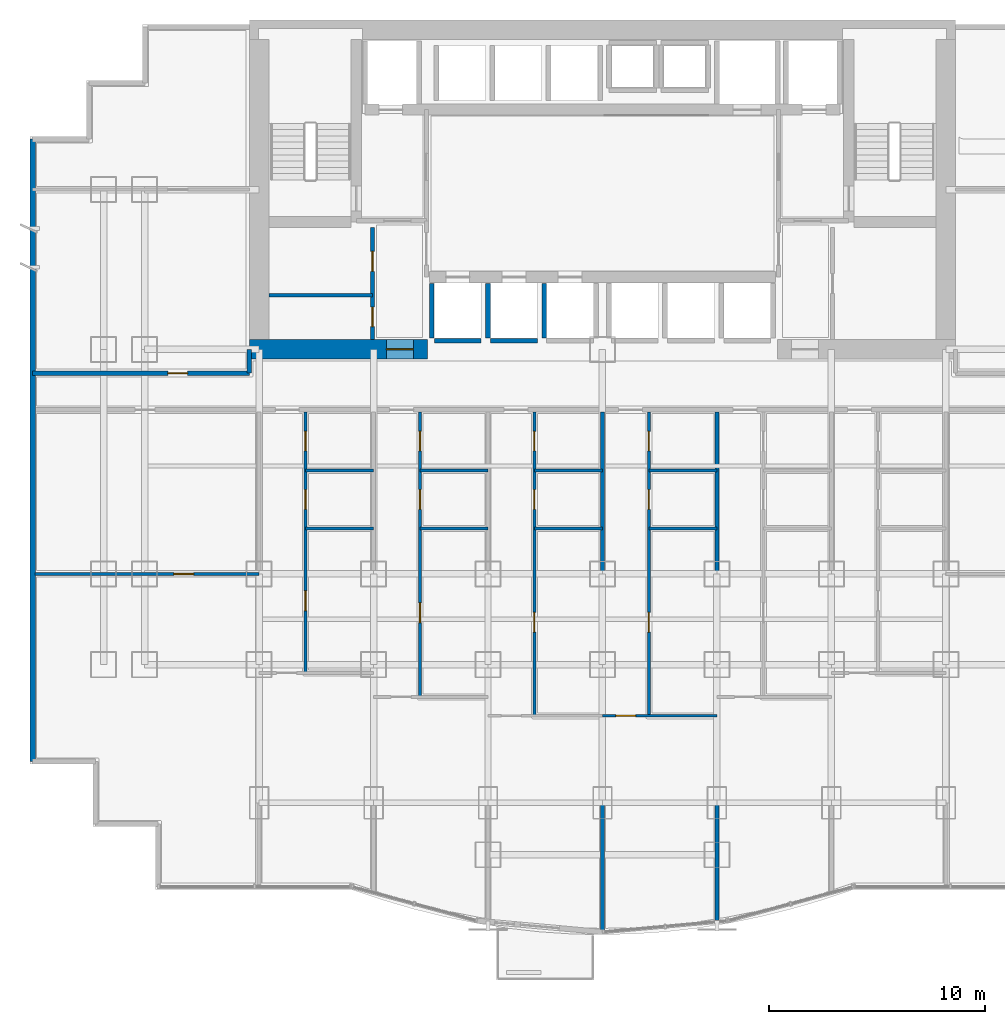
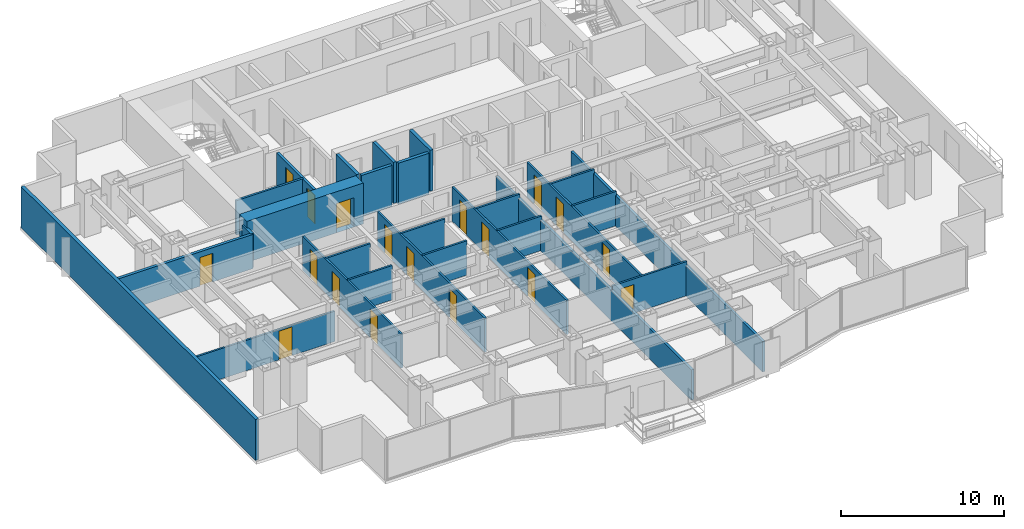
# One storey, part 5 of 10: 27 walls, 18 doors, 18 openings.
"""IFC4 building model written with IfcOpenShell, lengths in metres."""

import ifcopenshell
import ifcopenshell.guid

model = None  # the IFC model being written
_history = None  # IfcOwnerHistory: only IFC2X3 demands one
_inside = {}  # id of a spatial element -> (the spatial element, [elements in it])
_under = {}  # id of a project, library or spatial element -> (it, [spatial elements below it])
_declared = {}  # id of a project -> (the project, [libraries it declares])
_typed = {}  # id of a type object -> (the type object, [elements of that type])
_made_of = {}  # id of a material, layer set ... -> (it, [elements and type objects made of it])


def new_model(schema):
    """Start an empty IFC model of exactly this schema.

    Asked for "IFC4X3", IfcOpenShell would pick the latest addendum, in which some entities
    have other attributes; the version numbers below select the first issue.
    IFC2X3 requires an IfcOwnerHistory on every rooted entity: one is made here for all.
    """
    global model, _history
    if schema == "IFC4X3":
        model = ifcopenshell.file(schema_version=(4, 3, 0, 0))
    else:
        model = ifcopenshell.file(schema=schema)
    _inside.clear()
    _under.clear()
    _declared.clear()
    _typed.clear()
    _made_of.clear()
    _history = None
    if model.schema == "IFC2X3":
        org = make("IfcOrganization", Name="unknown")
        user = make(
            "IfcPersonAndOrganization",
            ThePerson=make("IfcPerson", FamilyName="unknown"),
            TheOrganization=org,
        )
        app = make(
            "IfcApplication",
            ApplicationDeveloper=org,
            Version="unknown",
            ApplicationFullName="unknown",
            ApplicationIdentifier="unknown",
        )
        _history = make(
            "IfcOwnerHistory",
            OwningUser=user,
            OwningApplication=app,
            ChangeAction="ADDED",
            CreationDate=0,
        )
    return model


def make(cls, **values):
    """One entity of the class cls with the attributes given. An attribute that is None is left unset."""
    return model.create_entity(
        cls, **{name: value for name, value in values.items() if value is not None}
    )


def rooted(cls, **values):
    """An entity with a GlobalId (a new one), such as an element, a storey or a relation."""
    return make(cls, GlobalId=ifcopenshell.guid.new(), OwnerHistory=_history, **values)


def si_unit(unit_type, name, prefix=None):
    """IfcSIUnit, for example si_unit("LENGTHUNIT", "METRE", prefix="MILLI")."""
    return make("IfcSIUnit", UnitType=unit_type, Prefix=prefix, Name=name)


def assignment(units):
    """IfcUnitAssignment: the units of a project."""
    return None if units is None else make("IfcUnitAssignment", Units=units)


def point(xyz):
    """IfcCartesianPoint."""
    return None if xyz is None else make("IfcCartesianPoint", Coordinates=xyz)


def direction(xyz):
    """IfcDirection."""
    return None if xyz is None else make("IfcDirection", DirectionRatios=xyz)


def frame(location, z_axis=None, x_axis=None):
    """IfcAxis2Placement3D, a coordinate frame: its origin and axes. An axis left out is left unset."""
    return make(
        "IfcAxis2Placement3D",
        Location=point(location),
        Axis=direction(z_axis),
        RefDirection=direction(x_axis),
    )


def frame_2d(location, x_axis=None):
    """IfcAxis2Placement2D, a coordinate frame in the plane: its origin and x axis."""
    return make(
        "IfcAxis2Placement2D", Location=point(location), RefDirection=direction(x_axis)
    )


def origin():
    """The frame at (0, 0, 0) with its axes left unset."""
    return frame((0.0, 0.0, 0.0))


def place(relative_to, where):
    """IfcLocalPlacement: puts the frame where relative to a parent placement (None: the world)."""
    return make(
        "IfcLocalPlacement", PlacementRelTo=relative_to, RelativePlacement=where
    )


def context(
    kind, dimensions, precision=None, world=None, true_north=None, identifier=None
):
    """IfcGeometricRepresentationContext, for example the 3D "Model" context."""
    return make(
        "IfcGeometricRepresentationContext",
        ContextIdentifier=identifier,
        ContextType=kind,
        CoordinateSpaceDimension=dimensions,
        Precision=precision,
        WorldCoordinateSystem=world,
        TrueNorth=true_north,
    )


def subcontext(parent, identifier, kind, view, scale=None):
    """IfcGeometricRepresentationSubContext, for example "Body" below "Model"."""
    return make(
        "IfcGeometricRepresentationSubContext",
        ContextIdentifier=identifier,
        ContextType=kind,
        ParentContext=parent,
        TargetScale=scale,
        TargetView=view,
    )


def project(units=None, contexts=None):
    """IfcProject with its units and contexts."""
    return rooted(
        "IfcProject",
        Name="project",
        RepresentationContexts=contexts,
        UnitsInContext=assignment(units),
    )


def spatial(cls, under=None, at=None, **own):
    """A site, building, storey or space (cls), placed at a placement, below another one or the project."""
    s = rooted(cls, ObjectPlacement=at, **own)
    if under is not None:
        _under.setdefault(under.id(), (under, []))[1].append(s)
    return s


def profile(cls, at=None, kind="AREA", **sizes):
    """A parametric profile (cls). Its sizes go by their IFC names, for example OverallWidth=200.0."""
    return make(cls, ProfileType=kind, Position=at, **sizes)


def rectangle(**sizes):
    """IfcRectangleProfileDef."""
    return profile("IfcRectangleProfileDef", **sizes)


def extrude(swept, where, along, depth):
    """IfcExtrudedAreaSolid: the profile swept, set in the frame where, extruded along a direction by depth."""
    return make(
        "IfcExtrudedAreaSolid",
        SweptArea=swept,
        Position=where,
        ExtrudedDirection=direction(along),
        Depth=depth,
    )


def shape(context_of_items, identifier, shape_type, items):
    """IfcShapeRepresentation: the items that make up one representation, for example the "Body"."""
    return make(
        "IfcShapeRepresentation",
        ContextOfItems=context_of_items,
        RepresentationIdentifier=identifier,
        RepresentationType=shape_type,
        Items=items,
    )


def material(Name=None, Category=None):
    """IfcMaterial."""
    return make("IfcMaterial", Name=Name, Category=Category)


def layer(
    of_material, thickness, ventilated=None, Name=None, Category=None, Priority=None
):
    """IfcMaterialLayer: one layer of a wall or slab, of a material (None: an air gap)."""
    return make(
        "IfcMaterialLayer",
        Material=of_material,
        LayerThickness=thickness,
        IsVentilated=ventilated,
        Name=Name,
        Category=Category,
        Priority=Priority,
    )


def layer_set(layers, Name=None):
    """IfcMaterialLayerSet."""
    return make("IfcMaterialLayerSet", MaterialLayers=layers, LayerSetName=Name)


def made_of(thing, what):
    """Note that an element or type object is made of a material, layer set ...; save() writes the relation."""
    if what is not None:
        _made_of.setdefault(what.id(), (what, []))[1].append(thing)
    return thing


def type_object(cls, material=None, **own):
    """A type object (cls), such as IfcWallType, which elements share."""
    return made_of(rooted(cls, **own), material)


def element(
    cls,
    number,
    at=None,
    inside=None,
    cuts=None,
    type_object=None,
    material=None,
    context=None,
    identifier="Body",
    shape_type=None,
    held_by="IfcProductDefinitionShape",
    body=None,
    shapes=None,
    **own,
):
    """One element of the class cls, such as IfcWall. Its Tag is "e" and its number.

    at: its placement. inside: the storey or other place that contains it. cuts: it is an
    opening in that element (IfcRelVoidsElement). A single representation is given by context,
    identifier, shape_type and body (its items); several are given by shapes. held_by: the class
    of the entity that holds the representations. save() writes the other relations.
    """
    e = rooted(cls, Tag="e%d" % number, ObjectPlacement=at, **own)
    if body is not None:
        shapes = [shape(context, identifier, shape_type, body)]
    if shapes is not None:
        e.Representation = make(held_by, Representations=shapes)
    if inside is not None:
        _inside.setdefault(inside.id(), (inside, []))[1].append(e)
    if cuts is not None:
        rooted(
            "IfcRelVoidsElement", RelatingBuildingElement=cuts, RelatedOpeningElement=e
        )
    if type_object is not None:
        _typed.setdefault(type_object.id(), (type_object, []))[1].append(e)
    return made_of(e, material)


def fill(opening, filler):
    """IfcRelFillsElement: the door or window that sits in an opening."""
    return rooted(
        "IfcRelFillsElement",
        RelatingOpeningElement=opening,
        RelatedBuildingElement=filler,
    )


def aggregate(whole, parts):
    """IfcRelAggregates: a whole, such as a stair, and the parts it consists of."""
    return rooted("IfcRelAggregates", RelatingObject=whole, RelatedObjects=parts)


def save(model, path):
    """Write the relations noted so far, then the file.

    IfcRelAggregates (storeys below a building ...), IfcRelContainedInSpatialStructure (elements
    in a storey), IfcRelDefinesByType, IfcRelAssociatesMaterial and IfcRelDeclares: one each for
    every whole, place, type object, material and project.
    """
    for whole, parts in _under.values():
        aggregate(whole, parts)
    for where, things in _inside.values():
        rooted(
            "IfcRelContainedInSpatialStructure",
            RelatedElements=things,
            RelatingStructure=where,
        )
    for kind, things in _typed.values():
        rooted("IfcRelDefinesByType", RelatedObjects=things, RelatingType=kind)
    for what, things in _made_of.values():
        rooted("IfcRelAssociatesMaterial", RelatedObjects=things, RelatingMaterial=what)
    for by, libraries in _declared.values():
        rooted("IfcRelDeclares", RelatingContext=by, RelatedDefinitions=libraries)
    model.write(path)


model = new_model("IFC4")

# Units and contexts
model_context = context("Model", 3, precision=1e-05, world=origin(), true_north=direction((0.0, 1.0)))
body_context = subcontext(model_context, "Body", "Model", "MODEL_VIEW")
ifc_project = project(units=[si_unit("LENGTHUNIT", "METRE"), si_unit("AREAUNIT", "SQUARE_METRE"), si_unit("VOLUMEUNIT", "CUBIC_METRE"), si_unit("PLANEANGLEUNIT", "RADIAN"), si_unit("MASSUNIT", "GRAM", prefix="KILO")], contexts=[model_context])

# Site, building, storey
site_placement = place(None, origin())
site = spatial("IfcSite", under=ifc_project, at=site_placement, CompositionType="ELEMENT")
building_placement = place(site_placement, origin())
building = spatial("IfcBuilding", under=site, at=building_placement, Name="Qianlan Lanfeng Residences", CompositionType="ELEMENT")
storey_placement = place(building_placement, frame((0.0, 0.0, 30.800048828125)))
storey = spatial("IfcBuildingStorey", under=building, at=storey_placement, Name="L07", CompositionType="ELEMENT", Elevation=30.800048828125)

# Wall, opening, door
ifc_material_1 = material(Name="Concrete C70", Category="concrete")
ifc_layer_1 = layer(ifc_material_1, 0.89990234375)
ifc_layer_set_1 = layer_set([ifc_layer_1], Name="Concrete C70")
wall_type_1 = type_object("IfcWallType", Name="CW-RC-900", PredefinedType="SHEAR", material=ifc_layer_set_1)
wall_1_placement = place(storey_placement, frame((10.14990234375, 25.199951171875, 0.0), z_axis=(0.0, 0.0, 1.0), x_axis=(1.0, 0.0, 0.0)))
wall_1 = element("IfcWall", 1, at=wall_1_placement, inside=storey, type_object=wall_type_1, Name="L07 Core Shear Wall SW", PredefinedType="SHEAR", context=body_context, shape_type="SweptSolid", body=[
    extrude(rectangle(XDim=8.25, YDim=0.89990234375, at=frame_2d((4.125, 0.0))), origin(), (0.0, 0.0, 1.0), 3.079833984375),
])
opening_1_placement = place(wall_1_placement, frame((6.35009765625, 0.0, 0.0)))
opening_1 = element("IfcOpeningElement", 2, at=opening_1_placement, cuts=wall_1, Name="Opening L07-D01", PredefinedType="OPENING", context=body_context, shape_type="SweptSolid", body=[
    extrude(rectangle(XDim=1.25, YDim=2.199951171875, at=frame_2d((0.625, 1.10009765625))), frame((0.0, 0.4599609375, 0.0), z_axis=(0.0, -1.0, 0.0), x_axis=(1.0, 0.0, 0.0)), (0.0, 0.0, 1.0), 0.919921875),
])
ifc_material_2 = material(Name="Painted Galvanised Steel Fire Door", Category="steel")
door_type_1 = type_object("IfcDoorType", Name="DT-FFL", OperationType="NOTDEFINED", PredefinedType="DOOR", material=ifc_material_2)
door_1_placement = place(opening_1_placement, frame((1.25, 0.0, 0.0), z_axis=(0.0, 0.0, 1.0), x_axis=(-1.0, 0.0, 0.0)))
door_1 = element("IfcDoor", 3, at=door_1_placement, inside=storey, type_object=door_type_1, Name="L07 West Core Lobby Smoke Door L07-D01 (DT-FFL)", OperationType="SINGLE_SWING_RIGHT", OverallHeight=2.199951171875, OverallWidth=1.25, PredefinedType="DOOR", context=body_context, shape_type="SweptSolid", body=[
    extrude(rectangle(XDim=1.25, YDim=2.199951171875, at=frame_2d((0.625, 1.10009765625))), frame((0.0, 0.02490234375, 0.0), z_axis=(0.0, -1.0, 0.0), x_axis=(1.0, 0.0, 0.0)), (0.0, 0.0, 1.0), 0.050048828125),
])
fill(opening_1, door_1)

# Wall
ifc_material_3 = material(Name="Concrete C42", Category="concrete")
ifc_layer_2 = layer(ifc_material_3, 0.239990234375)
ifc_layer_set_2 = layer_set([ifc_layer_2], Name="Concrete C42")
wall_type_2 = type_object("IfcWallType", Name="EW-240", PredefinedType="SOLIDWALL", material=ifc_layer_set_2)
wall_2_placement = place(storey_placement, frame((0.1201171875, 34.929931640625, 0.0), z_axis=(0.0, 0.0, 1.0), x_axis=(0.0, -1.0, 0.0)))
element("IfcWall", 4, at=wall_2_placement, inside=storey, type_object=wall_type_2, Name="L07 Exterior Facade Spandrel Wall 21", PredefinedType="SOLIDWALL", context=body_context, shape_type="SweptSolid", body=[
    extrude(rectangle(XDim=28.809814453125, YDim=0.239990234375, at=frame_2d((14.40478515625, 0.0))), origin(), (0.0, 0.0, 1.0), 3.079833984375),
])

# Wall, openings, doors
ifc_material_4 = material(Name="Moisture-Resistant Gypsum Partition 135 mm")
ifc_layer_3 = layer(ifc_material_4, 0.135009765625)
ifc_layer_set_3 = layer_set([ifc_layer_3], Name="Moisture-Resistant Gypsum Partition 135 mm")
wall_type_3 = type_object("IfcWallType", Name="PW-135", PredefinedType="PARTITIONING", material=ifc_layer_set_3)
wall_3_placement = place(storey_placement, frame((12.75, 10.219970703125, 0.0), z_axis=(0.0, 0.0, 1.0), x_axis=(0.0, 1.0, 0.0)))
wall_3 = element("IfcWall", 5, at=wall_3_placement, inside=storey, type_object=wall_type_3, Name="L07 U01 Entry Hall Spine", PredefinedType="PARTITIONING", context=body_context, shape_type="SweptSolid", body=[
    extrude(rectangle(XDim=12.080078125, YDim=0.135009765625, at=frame_2d((6.0400390625, 0.0))), origin(), (0.0, 0.0, 1.0), 2.570068359375),
])
opening_2_placement = place(wall_3_placement, frame((2.8798828125, 0.0, 0.0)))
opening_2 = element("IfcOpeningElement", 6, at=opening_2_placement, cuts=wall_3, Name="Opening L07-D16", PredefinedType="OPENING", context=body_context, shape_type="SweptSolid", body=[
    extrude(rectangle(XDim=0.919921875, YDim=2.14990234375, at=frame_2d((0.4599609375, 1.074951171875))), frame((0.0, 0.07763671875, 0.0), z_axis=(0.0, -1.0, 0.0), x_axis=(1.0, 0.0, 0.0)), (0.0, 0.0, 1.0), 0.155029296875),
])
opening_3_placement = place(wall_3_placement, frame((7.570068359375, 0.0, 0.0)))
opening_3 = element("IfcOpeningElement", 7, at=opening_3_placement, cuts=wall_3, Name="Opening L07-D17", PredefinedType="OPENING", context=body_context, shape_type="SweptSolid", body=[
    extrude(rectangle(XDim=0.919921875, YDim=2.14990234375, at=frame_2d((0.4599609375, 1.074951171875))), frame((0.0, 0.07763671875, 0.0), z_axis=(0.0, -1.0, 0.0), x_axis=(1.0, 0.0, 0.0)), (0.0, 0.0, 1.0), 0.155029296875),
])
opening_4_placement = place(wall_3_placement, frame((10.280029296875, 0.0, 0.0)))
opening_4 = element("IfcOpeningElement", 8, at=opening_4_placement, cuts=wall_3, Name="Opening L07-D18", PredefinedType="OPENING", context=body_context, shape_type="SweptSolid", body=[
    extrude(rectangle(XDim=0.89990234375, YDim=2.14990234375, at=frame_2d((0.449951171875, 1.074951171875))), frame((0.0, 0.07763671875, 0.0), z_axis=(0.0, -1.0, 0.0), x_axis=(1.0, 0.0, 0.0)), (0.0, 0.0, 1.0), 0.155029296875),
])
ifc_material_5 = material(Name="Glazed Timber Kitchen/Study Door", Category="wood")
door_type_2 = type_object("IfcDoorType", Name="DT-INT", OperationType="NOTDEFINED", PredefinedType="DOOR", material=ifc_material_5)
door_2_placement = place(opening_2_placement, origin())
door_2 = element("IfcDoor", 9, at=door_2_placement, inside=storey, type_object=door_type_2, Name="L07 U01 Study Door L07-D16 (DT-INT)", OperationType="SINGLE_SWING_LEFT", OverallHeight=2.14990234375, OverallWidth=0.919921875, PredefinedType="DOOR", context=body_context, shape_type="SweptSolid", body=[
    extrude(rectangle(XDim=0.919921875, YDim=2.14990234375, at=frame_2d((0.4599609375, 1.074951171875))), frame((0.0, 0.02490234375, 0.0), z_axis=(0.0, -1.0, 0.0), x_axis=(1.0, 0.0, 0.0)), (0.0, 0.0, 1.0), 0.050048828125),
])
fill(opening_2, door_2)
door_3_placement = place(opening_3_placement, origin())
door_3 = element("IfcDoor", 10, at=door_3_placement, inside=storey, type_object=door_type_2, Name="L07 U01 Kitchen Door L07-D17 (DT-INT)", OperationType="SINGLE_SWING_RIGHT", OverallHeight=2.14990234375, OverallWidth=0.919921875, PredefinedType="DOOR", context=body_context, shape_type="SweptSolid", body=[
    extrude(rectangle(XDim=0.919921875, YDim=2.14990234375, at=frame_2d((0.4599609375, 1.074951171875))), frame((0.0, 0.02490234375, 0.0), z_axis=(0.0, -1.0, 0.0), x_axis=(1.0, 0.0, 0.0)), (0.0, 0.0, 1.0), 0.050048828125),
])
fill(opening_3, door_3)
ifc_material_6 = material(Name="Moisture-Resistant Timber Leaf", Category="wood")
door_type_3 = type_object("IfcDoorType", Name="DT-WC", OperationType="NOTDEFINED", PredefinedType="DOOR", material=ifc_material_6)
door_4_placement = place(opening_4_placement, origin())
door_4 = element("IfcDoor", 11, at=door_4_placement, inside=storey, type_object=door_type_3, Name="L07 U01 Bathroom Door L07-D18 (DT-WC)", OperationType="SINGLE_SWING_LEFT", OverallHeight=2.14990234375, OverallWidth=0.89990234375, PredefinedType="DOOR", context=body_context, shape_type="SweptSolid", body=[
    extrude(rectangle(XDim=0.89990234375, YDim=2.14990234375, at=frame_2d((0.449951171875, 1.074951171875))), frame((0.0, 0.02490234375, 0.0), z_axis=(0.0, -1.0, 0.0), x_axis=(1.0, 0.0, 0.0)), (0.0, 0.0, 1.0), 0.050048828125),
])
fill(opening_4, door_4)

# Walls
for number, where, z_axis, x_axis, name in (
    (12, (12.75, 16.89990234375, 0.0), (0.0, 0.0, 1.0), (1.0, 0.0, 0.0), "L07 U01 Kitchen South Wall"),
    (13, (12.75, 19.60009765625, 0.0), (0.0, 0.0, 1.0), (1.0, 0.0, 0.0), "L07 U01 Bathroom South Wall"),
):
    element("IfcWall", number, at=place(storey_placement, frame(where, z_axis=z_axis, x_axis=x_axis)), inside=storey, type_object=wall_type_3, Name=name, PredefinedType="PARTITIONING", context=body_context, shape_type="SweptSolid", body=[
        extrude(rectangle(XDim=3.14990234375, YDim=0.135009765625, at=frame_2d((1.574951171875, 0.0))), origin(), (0.0, 0.0, 1.0), 2.570068359375),
    ])

# Wall, openings, doors
wall_4_placement = place(storey_placement, frame((18.050048828125, 9.112060546875, 0.0), z_axis=(0.0, 0.0, 1.0), x_axis=(0.0, 1.0, 0.0)))
wall_4 = element("IfcWall", 14, at=wall_4_placement, inside=storey, type_object=wall_type_3, Name="L07 U02 Entry Hall Spine", PredefinedType="PARTITIONING", context=body_context, shape_type="SweptSolid", body=[
    extrude(rectangle(XDim=13.18798828125, YDim=0.135009765625, at=frame_2d((6.593994140625, 0.0))), origin(), (0.0, 0.0, 1.0), 2.570068359375),
])
opening_5_placement = place(wall_4_placement, frame((3.43408203125, 0.0, 0.0)))
opening_5 = element("IfcOpeningElement", 15, at=opening_5_placement, cuts=wall_4, Name="Opening L07-D21", PredefinedType="OPENING", context=body_context, shape_type="SweptSolid", body=[
    extrude(rectangle(XDim=0.919921875, YDim=2.14990234375, at=frame_2d((0.4599609375, 1.074951171875))), frame((0.0, 0.07763671875, 0.0), z_axis=(0.0, -1.0, 0.0), x_axis=(1.0, 0.0, 0.0)), (0.0, 0.0, 1.0), 0.155029296875),
])
opening_6_placement = place(wall_4_placement, frame((8.677978515625, 0.0, 0.0)))
opening_6 = element("IfcOpeningElement", 16, at=opening_6_placement, cuts=wall_4, Name="Opening L07-D22", PredefinedType="OPENING", context=body_context, shape_type="SweptSolid", body=[
    extrude(rectangle(XDim=0.919921875, YDim=2.14990234375, at=frame_2d((0.4599609375, 1.074951171875))), frame((0.0, 0.07763671875, 0.0), z_axis=(0.0, -1.0, 0.0), x_axis=(1.0, 0.0, 0.0)), (0.0, 0.0, 1.0), 0.155029296875),
])
opening_7_placement = place(wall_4_placement, frame((11.387939453125, 0.0, 0.0)))
opening_7 = element("IfcOpeningElement", 17, at=opening_7_placement, cuts=wall_4, Name="Opening L07-D23", PredefinedType="OPENING", context=body_context, shape_type="SweptSolid", body=[
    extrude(rectangle(XDim=0.89990234375, YDim=2.14990234375, at=frame_2d((0.449951171875, 1.074951171875))), frame((0.0, 0.07763671875, 0.0), z_axis=(0.0, -1.0, 0.0), x_axis=(1.0, 0.0, 0.0)), (0.0, 0.0, 1.0), 0.155029296875),
])
door_5_placement = place(opening_5_placement, origin())
door_5 = element("IfcDoor", 18, at=door_5_placement, inside=storey, type_object=door_type_2, Name="L07 U02 Study Door L07-D21 (DT-INT)", OperationType="SINGLE_SWING_RIGHT", OverallHeight=2.14990234375, OverallWidth=0.919921875, PredefinedType="DOOR", context=body_context, shape_type="SweptSolid", body=[
    extrude(rectangle(XDim=0.919921875, YDim=2.14990234375, at=frame_2d((0.4599609375, 1.074951171875))), frame((0.0, 0.02490234375, 0.0), z_axis=(0.0, -1.0, 0.0), x_axis=(1.0, 0.0, 0.0)), (0.0, 0.0, 1.0), 0.050048828125),
])
fill(opening_5, door_5)
door_6_placement = place(opening_6_placement, origin())
door_6 = element("IfcDoor", 19, at=door_6_placement, inside=storey, type_object=door_type_2, Name="L07 U02 Kitchen Door L07-D22 (DT-INT)", OperationType="SINGLE_SWING_LEFT", OverallHeight=2.14990234375, OverallWidth=0.919921875, PredefinedType="DOOR", context=body_context, shape_type="SweptSolid", body=[
    extrude(rectangle(XDim=0.919921875, YDim=2.14990234375, at=frame_2d((0.4599609375, 1.074951171875))), frame((0.0, 0.02490234375, 0.0), z_axis=(0.0, -1.0, 0.0), x_axis=(1.0, 0.0, 0.0)), (0.0, 0.0, 1.0), 0.050048828125),
])
fill(opening_6, door_6)
door_7_placement = place(opening_7_placement, origin())
door_7 = element("IfcDoor", 20, at=door_7_placement, inside=storey, type_object=door_type_3, Name="L07 U02 Bathroom Door L07-D23 (DT-WC)", OperationType="SINGLE_SWING_RIGHT", OverallHeight=2.14990234375, OverallWidth=0.89990234375, PredefinedType="DOOR", context=body_context, shape_type="SweptSolid", body=[
    extrude(rectangle(XDim=0.89990234375, YDim=2.14990234375, at=frame_2d((0.449951171875, 1.074951171875))), frame((0.0, 0.02490234375, 0.0), z_axis=(0.0, -1.0, 0.0), x_axis=(1.0, 0.0, 0.0)), (0.0, 0.0, 1.0), 0.050048828125),
])
fill(opening_7, door_7)

# Walls
for number, where, z_axis, x_axis, name in (
    (21, (18.050048828125, 16.89990234375, 0.0), (0.0, 0.0, 1.0), (1.0, 0.0, 0.0), "L07 U02 Kitchen South Wall"),
    (22, (18.050048828125, 19.60009765625, 0.0), (0.0, 0.0, 1.0), (1.0, 0.0, 0.0), "L07 U02 Bathroom South Wall"),
):
    element("IfcWall", number, at=place(storey_placement, frame(where, z_axis=z_axis, x_axis=x_axis)), inside=storey, type_object=wall_type_3, Name=name, PredefinedType="PARTITIONING", context=body_context, shape_type="SweptSolid", body=[
        extrude(rectangle(XDim=3.14990234375, YDim=0.135009765625, at=frame_2d((1.574951171875, 0.0))), origin(), (0.0, 0.0, 1.0), 2.570068359375),
    ])

# Wall, openings, doors
wall_5_placement = place(storey_placement, frame((23.35009765625, 8.23388671875, 0.0), z_axis=(0.0, 0.0, 1.0), x_axis=(0.0, 1.0, 0.0)))
wall_5 = element("IfcWall", 23, at=wall_5_placement, inside=storey, type_object=wall_type_3, Name="L07 U03 Entry Hall Spine", PredefinedType="PARTITIONING", context=body_context, shape_type="SweptSolid", body=[
    extrude(rectangle(XDim=14.066162109375, YDim=0.135009765625, at=frame_2d((7.033203125, 0.0))), origin(), (0.0, 0.0, 1.0), 2.570068359375),
])
opening_8_placement = place(wall_5_placement, frame((3.873046875, 0.0, 0.0)))
opening_8 = element("IfcOpeningElement", 24, at=opening_8_placement, cuts=wall_5, Name="Opening L07-D26", PredefinedType="OPENING", context=body_context, shape_type="SweptSolid", body=[
    extrude(rectangle(XDim=0.919921875, YDim=2.14990234375, at=frame_2d((0.4599609375, 1.074951171875))), frame((0.0, 0.07763671875, 0.0), z_axis=(0.0, -1.0, 0.0), x_axis=(1.0, 0.0, 0.0)), (0.0, 0.0, 1.0), 0.155029296875),
])
opening_9_placement = place(wall_5_placement, frame((9.555908203125, 0.0, 0.0)))
opening_9 = element("IfcOpeningElement", 25, at=opening_9_placement, cuts=wall_5, Name="Opening L07-D27", PredefinedType="OPENING", context=body_context, shape_type="SweptSolid", body=[
    extrude(rectangle(XDim=0.919921875, YDim=2.14990234375, at=frame_2d((0.4599609375, 1.074951171875))), frame((0.0, 0.07763671875, 0.0), z_axis=(0.0, -1.0, 0.0), x_axis=(1.0, 0.0, 0.0)), (0.0, 0.0, 1.0), 0.155029296875),
])
opening_10_placement = place(wall_5_placement, frame((12.26611328125, 0.0, 0.0)))
opening_10 = element("IfcOpeningElement", 26, at=opening_10_placement, cuts=wall_5, Name="Opening L07-D28", PredefinedType="OPENING", context=body_context, shape_type="SweptSolid", body=[
    extrude(rectangle(XDim=0.89990234375, YDim=2.14990234375, at=frame_2d((0.449951171875, 1.074951171875))), frame((0.0, 0.07763671875, 0.0), z_axis=(0.0, -1.0, 0.0), x_axis=(1.0, 0.0, 0.0)), (0.0, 0.0, 1.0), 0.155029296875),
])
door_8_placement = place(opening_8_placement, origin())
door_8 = element("IfcDoor", 27, at=door_8_placement, inside=storey, type_object=door_type_2, Name="L07 U03 Study Door L07-D26 (DT-INT)", OperationType="SINGLE_SWING_LEFT", OverallHeight=2.14990234375, OverallWidth=0.919921875, PredefinedType="DOOR", context=body_context, shape_type="SweptSolid", body=[
    extrude(rectangle(XDim=0.919921875, YDim=2.14990234375, at=frame_2d((0.4599609375, 1.074951171875))), frame((0.0, 0.02490234375, 0.0), z_axis=(0.0, -1.0, 0.0), x_axis=(1.0, 0.0, 0.0)), (0.0, 0.0, 1.0), 0.050048828125),
])
fill(opening_8, door_8)
door_9_placement = place(opening_9_placement, origin())
door_9 = element("IfcDoor", 28, at=door_9_placement, inside=storey, type_object=door_type_2, Name="L07 U03 Kitchen Door L07-D27 (DT-INT)", OperationType="SINGLE_SWING_RIGHT", OverallHeight=2.14990234375, OverallWidth=0.919921875, PredefinedType="DOOR", context=body_context, shape_type="SweptSolid", body=[
    extrude(rectangle(XDim=0.919921875, YDim=2.14990234375, at=frame_2d((0.4599609375, 1.074951171875))), frame((0.0, 0.02490234375, 0.0), z_axis=(0.0, -1.0, 0.0), x_axis=(1.0, 0.0, 0.0)), (0.0, 0.0, 1.0), 0.050048828125),
])
fill(opening_9, door_9)
door_10_placement = place(opening_10_placement, origin())
door_10 = element("IfcDoor", 29, at=door_10_placement, inside=storey, type_object=door_type_3, Name="L07 U03 Bathroom Door L07-D28 (DT-WC)", OperationType="SINGLE_SWING_LEFT", OverallHeight=2.14990234375, OverallWidth=0.89990234375, PredefinedType="DOOR", context=body_context, shape_type="SweptSolid", body=[
    extrude(rectangle(XDim=0.89990234375, YDim=2.14990234375, at=frame_2d((0.449951171875, 1.074951171875))), frame((0.0, 0.02490234375, 0.0), z_axis=(0.0, -1.0, 0.0), x_axis=(1.0, 0.0, 0.0)), (0.0, 0.0, 1.0), 0.050048828125),
])
fill(opening_10, door_10)

# Walls
for number, where, z_axis, x_axis, name in (
    (30, (23.35009765625, 16.89990234375, 0.0), (0.0, 0.0, 1.0), (1.0, 0.0, 0.0), "L07 U03 Kitchen South Wall"),
    (31, (23.35009765625, 19.60009765625, 0.0), (0.0, 0.0, 1.0), (1.0, 0.0, 0.0), "L07 U03 Bathroom South Wall"),
):
    element("IfcWall", number, at=place(storey_placement, frame(where, z_axis=z_axis, x_axis=x_axis)), inside=storey, type_object=wall_type_3, Name=name, PredefinedType="PARTITIONING", context=body_context, shape_type="SweptSolid", body=[
        extrude(rectangle(XDim=3.14990234375, YDim=0.135009765625, at=frame_2d((1.574951171875, 0.0))), origin(), (0.0, 0.0, 1.0), 2.570068359375),
    ])

# Wall, opening, door
wall_6_placement = place(storey_placement, frame((26.5, 8.23388671875, 0.0), z_axis=(0.0, 0.0, 1.0), x_axis=(1.0, 0.0, 0.0)))
wall_6 = element("IfcWall", 32, at=wall_6_placement, inside=storey, type_object=wall_type_3, Name="L07 U04 Living Divider", PredefinedType="PARTITIONING", context=body_context, shape_type="SweptSolid", body=[
    extrude(rectangle(XDim=5.300048828125, YDim=0.135009765625, at=frame_2d((2.64990234375, 0.0))), origin(), (0.0, 0.0, 1.0), 2.570068359375),
])
opening_11_placement = place(wall_6_placement, frame((0.614990234375, 0.0, 0.0)))
opening_11 = element("IfcOpeningElement", 33, at=opening_11_placement, cuts=wall_6, Name="Opening L07-D30", PredefinedType="OPENING", context=body_context, shape_type="SweptSolid", body=[
    extrude(rectangle(XDim=0.919921875, YDim=2.14990234375, at=frame_2d((0.4599609375, 1.074951171875))), frame((0.0, 0.07763671875, 0.0), z_axis=(0.0, -1.0, 0.0), x_axis=(1.0, 0.0, 0.0)), (0.0, 0.0, 1.0), 0.155029296875),
])
door_11_placement = place(opening_11_placement, frame((0.919921875, 0.0, 0.0), z_axis=(0.0, 0.0, 1.0), x_axis=(-1.0, 0.0, 0.0)))
door_11 = element("IfcDoor", 34, at=door_11_placement, inside=storey, type_object=door_type_2, Name="L07 U04 Living Passage Door L07-D30 (DT-INT)", OperationType="SINGLE_SWING_RIGHT", OverallHeight=2.14990234375, OverallWidth=0.919921875, PredefinedType="DOOR", context=body_context, shape_type="SweptSolid", body=[
    extrude(rectangle(XDim=0.919921875, YDim=2.14990234375, at=frame_2d((0.4599609375, 1.074951171875))), frame((0.0, 0.02490234375, 0.0), z_axis=(0.0, -1.0, 0.0), x_axis=(1.0, 0.0, 0.0)), (0.0, 0.0, 1.0), 0.050048828125),
])
fill(opening_11, door_11)

# Wall, openings, doors
wall_7_placement = place(storey_placement, frame((28.64990234375, 8.23388671875, 0.0), z_axis=(0.0, 0.0, 1.0), x_axis=(0.0, 1.0, 0.0)))
wall_7 = element("IfcWall", 35, at=wall_7_placement, inside=storey, type_object=wall_type_3, Name="L07 U04 Entry Hall Spine", PredefinedType="PARTITIONING", context=body_context, shape_type="SweptSolid", body=[
    extrude(rectangle(XDim=14.066162109375, YDim=0.135009765625, at=frame_2d((7.033203125, 0.0))), origin(), (0.0, 0.0, 1.0), 2.570068359375),
])
opening_12_placement = place(wall_7_placement, frame((3.873046875, 0.0, 0.0)))
opening_12 = element("IfcOpeningElement", 36, at=opening_12_placement, cuts=wall_7, Name="Opening L07-D31", PredefinedType="OPENING", context=body_context, shape_type="SweptSolid", body=[
    extrude(rectangle(XDim=0.919921875, YDim=2.14990234375, at=frame_2d((0.4599609375, 1.074951171875))), frame((0.0, 0.07763671875, 0.0), z_axis=(0.0, -1.0, 0.0), x_axis=(1.0, 0.0, 0.0)), (0.0, 0.0, 1.0), 0.155029296875),
])
opening_13_placement = place(wall_7_placement, frame((9.555908203125, 0.0, 0.0)))
opening_13 = element("IfcOpeningElement", 37, at=opening_13_placement, cuts=wall_7, Name="Opening L07-D32", PredefinedType="OPENING", context=body_context, shape_type="SweptSolid", body=[
    extrude(rectangle(XDim=0.919921875, YDim=2.14990234375, at=frame_2d((0.4599609375, 1.074951171875))), frame((0.0, 0.07763671875, 0.0), z_axis=(0.0, -1.0, 0.0), x_axis=(1.0, 0.0, 0.0)), (0.0, 0.0, 1.0), 0.155029296875),
])
opening_14_placement = place(wall_7_placement, frame((12.26611328125, 0.0, 0.0)))
opening_14 = element("IfcOpeningElement", 38, at=opening_14_placement, cuts=wall_7, Name="Opening L07-D33", PredefinedType="OPENING", context=body_context, shape_type="SweptSolid", body=[
    extrude(rectangle(XDim=0.89990234375, YDim=2.14990234375, at=frame_2d((0.449951171875, 1.074951171875))), frame((0.0, 0.07763671875, 0.0), z_axis=(0.0, -1.0, 0.0), x_axis=(1.0, 0.0, 0.0)), (0.0, 0.0, 1.0), 0.155029296875),
])
door_12_placement = place(opening_12_placement, origin())
door_12 = element("IfcDoor", 39, at=door_12_placement, inside=storey, type_object=door_type_2, Name="L07 U04 Study Door L07-D31 (DT-INT)", OperationType="SINGLE_SWING_RIGHT", OverallHeight=2.14990234375, OverallWidth=0.919921875, PredefinedType="DOOR", context=body_context, shape_type="SweptSolid", body=[
    extrude(rectangle(XDim=0.919921875, YDim=2.14990234375, at=frame_2d((0.4599609375, 1.074951171875))), frame((0.0, 0.02490234375, 0.0), z_axis=(0.0, -1.0, 0.0), x_axis=(1.0, 0.0, 0.0)), (0.0, 0.0, 1.0), 0.050048828125),
])
fill(opening_12, door_12)
door_13_placement = place(opening_13_placement, origin())
door_13 = element("IfcDoor", 40, at=door_13_placement, inside=storey, type_object=door_type_2, Name="L07 U04 Kitchen Door L07-D32 (DT-INT)", OperationType="SINGLE_SWING_LEFT", OverallHeight=2.14990234375, OverallWidth=0.919921875, PredefinedType="DOOR", context=body_context, shape_type="SweptSolid", body=[
    extrude(rectangle(XDim=0.919921875, YDim=2.14990234375, at=frame_2d((0.4599609375, 1.074951171875))), frame((0.0, 0.02490234375, 0.0), z_axis=(0.0, -1.0, 0.0), x_axis=(1.0, 0.0, 0.0)), (0.0, 0.0, 1.0), 0.050048828125),
])
fill(opening_13, door_13)
door_14_placement = place(opening_14_placement, origin())
door_14 = element("IfcDoor", 41, at=door_14_placement, inside=storey, type_object=door_type_3, Name="L07 U04 Bathroom Door L07-D33 (DT-WC)", OperationType="SINGLE_SWING_RIGHT", OverallHeight=2.14990234375, OverallWidth=0.89990234375, PredefinedType="DOOR", context=body_context, shape_type="SweptSolid", body=[
    extrude(rectangle(XDim=0.89990234375, YDim=2.14990234375, at=frame_2d((0.449951171875, 1.074951171875))), frame((0.0, 0.02490234375, 0.0), z_axis=(0.0, -1.0, 0.0), x_axis=(1.0, 0.0, 0.0)), (0.0, 0.0, 1.0), 0.050048828125),
])
fill(opening_14, door_14)

# Walls
for number, where, z_axis, x_axis, name in (
    (42, (28.64990234375, 16.89990234375, 0.0), (0.0, 0.0, 1.0), (1.0, 0.0, 0.0), "L07 U04 Kitchen South Wall"),
    (43, (28.64990234375, 19.60009765625, 0.0), (0.0, 0.0, 1.0), (1.0, 0.0, 0.0), "L07 U04 Bathroom South Wall"),
):
    element("IfcWall", number, at=place(storey_placement, frame(where, z_axis=z_axis, x_axis=x_axis)), inside=storey, type_object=wall_type_3, Name=name, PredefinedType="PARTITIONING", context=body_context, shape_type="SweptSolid", body=[
        extrude(rectangle(XDim=3.150146484375, YDim=0.135009765625, at=frame_2d((1.5751953125, 0.0))), origin(), (0.0, 0.0, 1.0), 2.570068359375),
    ])

# Wall, opening, door
wall_8_placement = place(storey_placement, frame((0.219970703125, 14.800048828125, 0.0), z_axis=(0.0, 0.0, 1.0), x_axis=(1.0, 0.0, 0.0)))
wall_8 = element("IfcWall", 44, at=wall_8_placement, inside=storey, type_object=wall_type_3, Name="L07 SWP Mid Partition", PredefinedType="PARTITIONING", context=body_context, shape_type="SweptSolid", body=[
    extrude(rectangle(XDim=10.380126953125, YDim=0.135009765625, at=frame_2d((5.18994140625, 0.0))), origin(), (0.0, 0.0, 1.0), 2.27490234375),
])
opening_15_placement = place(wall_8_placement, frame((6.429931640625, 0.0, 0.0)))
opening_15 = element("IfcOpeningElement", 45, at=opening_15_placement, cuts=wall_8, Name="Opening L07-D44", PredefinedType="OPENING", context=body_context, shape_type="SweptSolid", body=[
    extrude(rectangle(XDim=0.919921875, YDim=2.14990234375, at=frame_2d((0.4599609375, 1.074951171875))), frame((0.0, 0.07763671875, 0.0), z_axis=(0.0, -1.0, 0.0), x_axis=(1.0, 0.0, 0.0)), (0.0, 0.0, 1.0), 0.155029296875),
])
door_15_placement = place(opening_15_placement, origin())
door_15 = element("IfcDoor", 46, at=door_15_placement, inside=storey, type_object=door_type_2, Name="L07 SWP Inner Door L07-D44 (DT-INT)", OperationType="SINGLE_SWING_LEFT", OverallHeight=2.14990234375, OverallWidth=0.919921875, PredefinedType="DOOR", context=body_context, shape_type="SweptSolid", body=[
    extrude(rectangle(XDim=0.919921875, YDim=2.14990234375, at=frame_2d((0.4599609375, 1.074951171875))), frame((0.0, 0.02490234375, 0.0), z_axis=(0.0, -1.0, 0.0), x_axis=(1.0, 0.0, 0.0)), (0.0, 0.0, 1.0), 0.050048828125),
])
fill(opening_15, door_15)

# Wall
ifc_material_7 = material(Name="Acoustic Drywall Partition 150 mm")
ifc_layer_4 = layer(ifc_material_7, 0.14990234375)
ifc_layer_set_4 = layer_set([ifc_layer_4], Name="Acoustic Drywall Partition 150 mm")
wall_type_4 = type_object("IfcWallType", Name="PW-150", PredefinedType="PARTITIONING", material=ifc_layer_set_4)
wall_9_placement = place(storey_placement, frame((11.050048828125, 27.699951171875, 0.0), z_axis=(0.0, 0.0, 1.0), x_axis=(1.0, 0.0, 0.0)))
element("IfcWall", 47, at=wall_9_placement, inside=storey, type_object=wall_type_4, Name="L07 Core West Split", PredefinedType="PARTITIONING", context=body_context, shape_type="SweptSolid", body=[
    extrude(rectangle(XDim=4.800048828125, YDim=0.14990234375, at=frame_2d((2.39990234375, 0.0))), origin(), (0.0, 0.0, 1.0), 2.570068359375),
])

# Wall, openings, doors
ifc_material_8 = material(Name="Double-Layer Acoustic Gypsum Stud Wall 180 mm")
ifc_layer_5 = layer(ifc_material_8, 0.179931640625)
ifc_layer_set_5 = layer_set([ifc_layer_5], Name="Double-Layer Acoustic Gypsum Stud Wall 180 mm")
wall_type_5 = type_object("IfcWallType", Name="PW-180", PredefinedType="PARTITIONING", material=ifc_layer_set_5)
wall_10_placement = place(storey_placement, frame((15.85009765625, 25.64990234375, 0.0), z_axis=(0.0, 0.0, 1.0), x_axis=(0.0, 1.0, 0.0)))
wall_10 = element("IfcWall", 48, at=wall_10_placement, inside=storey, type_object=wall_type_5, Name="L07 Core West Service Room Wall", PredefinedType="PARTITIONING", context=body_context, shape_type="SweptSolid", body=[
    extrude(rectangle(XDim=5.2001953125, YDim=0.179931640625, at=frame_2d((2.60009765625, 0.0))), origin(), (0.0, 0.0, 1.0), 2.570068359375),
])
opening_16_placement = place(wall_10_placement, frame((0.60009765625, 0.0, 0.0)))
opening_16 = element("IfcOpeningElement", 49, at=opening_16_placement, cuts=wall_10, Name="Opening L07-D09", PredefinedType="OPENING", context=body_context, shape_type="SweptSolid", body=[
    extrude(rectangle(XDim=0.89990234375, YDim=2.14990234375, at=frame_2d((0.449951171875, 1.074951171875))), frame((0.0, 0.10009765625, 0.0), z_axis=(0.0, -1.0, 0.0), x_axis=(1.0, 0.0, 0.0)), (0.0, 0.0, 1.0), 0.199951171875),
])
opening_17_placement = place(wall_10_placement, frame((3.1650390625, 0.0, 0.0)))
opening_17 = element("IfcOpeningElement", 50, at=opening_17_placement, cuts=wall_10, Name="Opening L07-D10", PredefinedType="OPENING", context=body_context, shape_type="SweptSolid", body=[
    extrude(rectangle(XDim=0.919921875, YDim=2.14990234375, at=frame_2d((0.4599609375, 1.074951171875))), frame((0.0, 0.10009765625, 0.0), z_axis=(0.0, -1.0, 0.0), x_axis=(1.0, 0.0, 0.0)), (0.0, 0.0, 1.0), 0.199951171875),
])
door_16_placement = place(opening_17_placement, origin())
door_16 = element("IfcDoor", 51, at=door_16_placement, inside=storey, type_object=door_type_2, Name="L07 Janitor Closet Door L07-D10 (DT-INT)", OperationType="SINGLE_SWING_LEFT", OverallHeight=2.14990234375, OverallWidth=0.919921875, PredefinedType="DOOR", context=body_context, shape_type="SweptSolid", body=[
    extrude(rectangle(XDim=0.919921875, YDim=2.14990234375, at=frame_2d((0.4599609375, 1.074951171875))), frame((0.0, 0.02490234375, 0.0), z_axis=(0.0, -1.0, 0.0), x_axis=(1.0, 0.0, 0.0)), (0.0, 0.0, 1.0), 0.050048828125),
])
fill(opening_17, door_16)
door_17_placement = place(opening_16_placement, frame((0.89990234375, 0.0, 0.0), z_axis=(0.0, 0.0, 1.0), x_axis=(-1.0, 0.0, 0.0)))
door_17 = element("IfcDoor", 52, at=door_17_placement, inside=storey, type_object=door_type_3, Name="L07 Core Staff WC Door L07-D09 (DT-WC)", OperationType="SINGLE_SWING_RIGHT", OverallHeight=2.14990234375, OverallWidth=0.89990234375, PredefinedType="DOOR", context=body_context, shape_type="SweptSolid", body=[
    extrude(rectangle(XDim=0.89990234375, YDim=2.14990234375, at=frame_2d((0.449951171875, 1.074951171875))), frame((0.0, 0.02490234375, 0.0), z_axis=(0.0, -1.0, 0.0), x_axis=(1.0, 0.0, 0.0)), (0.0, 0.0, 1.0), 0.050048828125),
])
fill(opening_16, door_17)

# Walls
wall_11_placement = place(storey_placement, frame((26.5, -1.679931640625, 0.0), z_axis=(0.0, 0.0, 1.0), x_axis=(0.0, 1.0, 0.0)))
element("IfcWall", 53, at=wall_11_placement, inside=storey, type_object=wall_type_5, Name="L07 Inter-Tenancy Party Wall 4", PredefinedType="PARTITIONING", context=body_context, shape_type="SweptSolid", body=[
    extrude(rectangle(XDim=23.97998046875, YDim=0.179931640625, at=frame_2d((11.989990234375, 0.0))), origin(), (0.0, 0.0, 1.0), 2.27490234375),
])
wall_12_placement = place(storey_placement, frame((31.800048828125, -1.235107421875, 0.0), z_axis=(0.0, 0.0, 1.0), x_axis=(0.0, 1.0, 0.0)))
element("IfcWall", 54, at=wall_12_placement, inside=storey, type_object=wall_type_5, Name="L07 Inter-Tenancy Party Wall 5", PredefinedType="PARTITIONING", context=body_context, shape_type="SweptSolid", body=[
    extrude(rectangle(XDim=23.53515625, YDim=0.179931640625, at=frame_2d((11.767578125, 0.0))), origin(), (0.0, 0.0, 1.0), 2.27490234375),
])

# Wall, opening, door
ifc_material_9 = material(Name="Autoclaved Aerated Concrete Blockwork 200 mm", Category="masonry")
ifc_layer_6 = layer(ifc_material_9, 0.199951171875)
ifc_layer_set_6 = layer_set([ifc_layer_6], Name="Autoclaved Aerated Concrete Blockwork 200 mm")
wall_type_6 = type_object("IfcWallType", Name="PW-200", PredefinedType="PARTITIONING", material=ifc_layer_set_6)
wall_13_placement = place(storey_placement, frame((0.1201171875, 24.10009765625, 0.0), z_axis=(0.0, 0.0, 1.0), x_axis=(1.0, 0.0, 0.0)))
wall_13 = element("IfcWall", 55, at=wall_13_placement, inside=storey, type_object=wall_type_6, Name="L07 Corridor NW Wall", PredefinedType="PARTITIONING", context=body_context, shape_type="SweptSolid", body=[
    extrude(rectangle(XDim=10.02978515625, YDim=0.199951171875, at=frame_2d((5.014892578125, 0.0))), origin(), (0.0, 0.0, 1.0), 2.570068359375),
])
opening_18_placement = place(wall_13_placement, frame((6.2548828125, 0.0, 0.0)))
opening_18 = element("IfcOpeningElement", 56, at=opening_18_placement, cuts=wall_13, Name="Opening L07-D49", PredefinedType="OPENING", context=body_context, shape_type="SweptSolid", body=[
    extrude(rectangle(XDim=0.919921875, YDim=2.14990234375, at=frame_2d((0.4599609375, 1.074951171875))), frame((0.0, 0.10986328125, 0.0), z_axis=(0.0, -1.0, 0.0), x_axis=(1.0, 0.0, 0.0)), (0.0, 0.0, 1.0), 0.219970703125),
])
door_18_placement = place(opening_18_placement, origin())
door_18 = element("IfcDoor", 57, at=door_18_placement, inside=storey, type_object=door_type_2, Name="L07 WW Amenity Salon Door L07-D49 (DT-INT)", OperationType="SINGLE_SWING_RIGHT", OverallHeight=2.14990234375, OverallWidth=0.919921875, PredefinedType="DOOR", context=body_context, shape_type="SweptSolid", body=[
    extrude(rectangle(XDim=0.919921875, YDim=2.14990234375, at=frame_2d((0.4599609375, 1.074951171875))), frame((0.0, 0.02490234375, 0.0), z_axis=(0.0, -1.0, 0.0), x_axis=(1.0, 0.0, 0.0)), (0.0, 0.0, 1.0), 0.050048828125),
])
fill(opening_18, door_18)

# Walls
wall_14_placement = place(storey_placement, frame((10.14990234375, 24.10009765625, 0.0), z_axis=(0.0, 0.0, 1.0), x_axis=(0.0, 1.0, 0.0)))
element("IfcWall", 58, at=wall_14_placement, inside=storey, type_object=wall_type_6, Name="L07 NW Wing Core Return Wall", PredefinedType="PARTITIONING", context=body_context, shape_type="SweptSolid", body=[
    extrude(rectangle(XDim=1.099853515625, YDim=0.199951171875, at=frame_2d((0.5498046875, 0.0))), origin(), (0.0, 0.0, 1.0), 2.570068359375),
])
ifc_material_10 = material(Name="Concrete C49", Category="concrete")
ifc_layer_7 = layer(ifc_material_10, 0.219970703125)
ifc_layer_set_7 = layer_set([ifc_layer_7], Name="Concrete C49")
wall_type_7 = type_object("IfcWallType", Name="SHW-220", PredefinedType="SOLIDWALL", material=ifc_layer_set_7)
wall_15_placement = place(storey_placement, frame((18.60009765625, 25.719970703125, 0.0), z_axis=(0.0, 0.0, 1.0), x_axis=(0.0, 1.0, 0.0)))
element("IfcWall", 59, at=wall_15_placement, inside=storey, type_object=wall_type_7, Name="L07 Lift PL-L1 Shaft Wall W", PredefinedType="SOLIDWALL", context=body_context, shape_type="SweptSolid", body=[
    extrude(rectangle(XDim=2.530029296875, YDim=0.219970703125, at=frame_2d((1.26513671875, 0.0))), origin(), (0.0, 0.0, 1.0), 3.079833984375),
])
wall_16_placement = place(storey_placement, frame((18.719970703125, 25.60009765625, 0.0), z_axis=(0.0, 0.0, 1.0), x_axis=(1.0, 0.0, 0.0)))
element("IfcWall", 60, at=wall_16_placement, inside=storey, type_object=wall_type_7, Name="L07 Lift PL-L1 Shaft Back Wall S", PredefinedType="SOLIDWALL", context=body_context, shape_type="SweptSolid", body=[
    extrude(rectangle(XDim=2.159912109375, YDim=0.219970703125, at=frame_2d((1.080078125, 0.0))), origin(), (0.0, 0.0, 1.0), 3.079833984375),
])
wall_17_placement = place(storey_placement, frame((21.199951171875, 25.719970703125, 0.0), z_axis=(0.0, 0.0, 1.0), x_axis=(0.0, 1.0, 0.0)))
element("IfcWall", 61, at=wall_17_placement, inside=storey, type_object=wall_type_7, Name="L07 Lift PL-L2 Shaft Wall W", PredefinedType="SOLIDWALL", context=body_context, shape_type="SweptSolid", body=[
    extrude(rectangle(XDim=2.530029296875, YDim=0.219970703125, at=frame_2d((1.26513671875, 0.0))), origin(), (0.0, 0.0, 1.0), 3.079833984375),
])
wall_18_placement = place(storey_placement, frame((21.320068359375, 25.60009765625, 0.0), z_axis=(0.0, 0.0, 1.0), x_axis=(1.0, 0.0, 0.0)))
element("IfcWall", 62, at=wall_18_placement, inside=storey, type_object=wall_type_7, Name="L07 Lift PL-L2 Shaft Back Wall S", PredefinedType="SOLIDWALL", context=body_context, shape_type="SweptSolid", body=[
    extrude(rectangle(XDim=2.159912109375, YDim=0.219970703125, at=frame_2d((1.080078125, 0.0))), origin(), (0.0, 0.0, 1.0), 3.079833984375),
])
wall_19_placement = place(storey_placement, frame((23.800048828125, 25.719970703125, 0.0), z_axis=(0.0, 0.0, 1.0), x_axis=(0.0, 1.0, 0.0)))
element("IfcWall", 63, at=wall_19_placement, inside=storey, type_object=wall_type_7, Name="L07 Lift PL-L3 Shaft Wall W", PredefinedType="SOLIDWALL", context=body_context, shape_type="SweptSolid", body=[
    extrude(rectangle(XDim=2.530029296875, YDim=0.219970703125, at=frame_2d((1.26513671875, 0.0))), origin(), (0.0, 0.0, 1.0), 3.079833984375),
])

save(model, "model.ifc")
